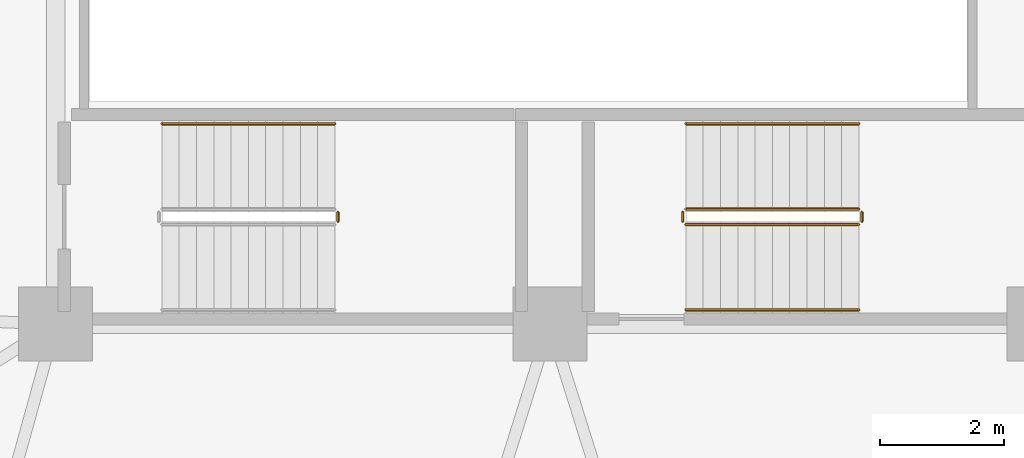
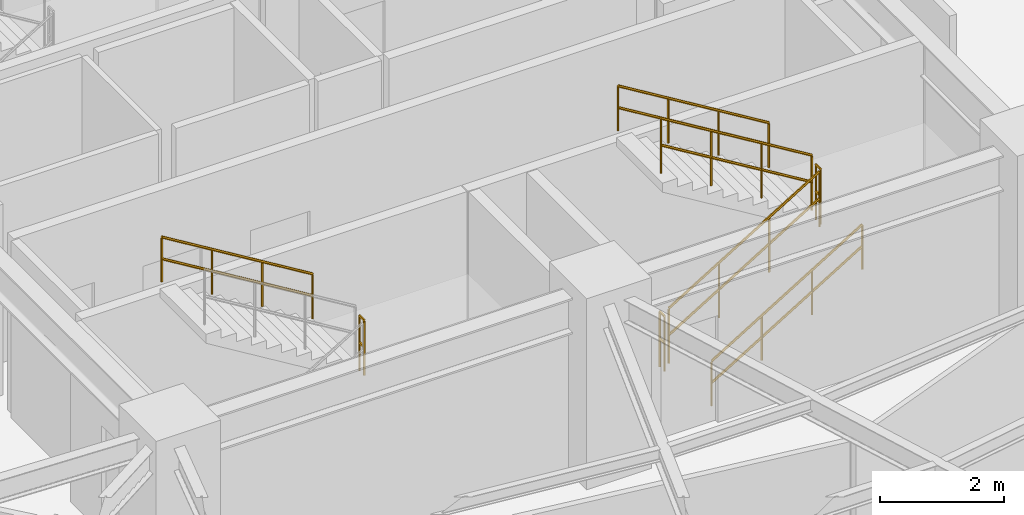
# One storey, part 29 of 31: 8 railings.
"""IFC4 building model written with IfcOpenShell, lengths in metres."""

from ifc_helpers import new_model, si_unit, direction, frame, origin, place, context, subcontext, project, spatial, polyline, outline, extrude, material, type_object, element, save


model = new_model("IFC4")

# Units and contexts
model_context = context("Model", 3, precision=1e-05, world=origin(), true_north=direction((0.0, 1.0)))
body_context = subcontext(model_context, "Body", "Model", "MODEL_VIEW")
ifc_project = project(units=[si_unit("LENGTHUNIT", "METRE"), si_unit("AREAUNIT", "SQUARE_METRE"), si_unit("VOLUMEUNIT", "CUBIC_METRE"), si_unit("PLANEANGLEUNIT", "RADIAN"), si_unit("MASSUNIT", "GRAM", prefix="KILO")], contexts=[model_context])

# Site, building, storey
site_placement = place(None, origin())
site = spatial("IfcSite", under=ifc_project, at=site_placement, CompositionType="ELEMENT")
building_placement = place(site_placement, origin())
building = spatial("IfcBuilding", under=site, at=building_placement, Name="Kelanora Arch Commons", CompositionType="ELEMENT")
storey_placement = place(building_placement, frame((0.0, 0.0, 200.699951171875)))
storey = spatial("IfcBuildingStorey", under=building, at=storey_placement, Name="L51", CompositionType="ELEMENT", Elevation=200.699951171875)

# Railings
ifc_material_1 = material(Name="Painted steel stair well guard", Category="steel")
railing_type_1 = type_object("IfcRailingType", Name="RAIL-STAIR-GRD", PredefinedType="GUARDRAIL", material=ifc_material_1)
railing_1_placement = place(storey_placement, frame((76.199951171875, 52.610107421875, 0.17041015625)))
element("IfcRailing", 1, at=railing_1_placement, inside=storey, type_object=railing_type_1, Name="L51 ST-T2 stair guard 1", PredefinedType="GUARDRAIL", context=body_context, shape_type="SweptSolid", body=[
    extrude(outline(polyline([(0.02392578125, 0.0), (0.011962890625, 0.020751953125), (-0.011962890625, 0.020751953125), (-0.02392578125, 0.0), (-0.011962890625, -0.020751953125), (0.011962890625, -0.020751953125), (0.02392578125, 0.0)])), frame((0.0, 0.0, 1.076171875), z_axis=(0.854169791009, 0.0, 0.51999420009), x_axis=(0.0, 1.0, 0.0)), (0.0, 0.0, 1.0), 3.278076171875),
    extrude(outline(polyline([(0.02392578125, 0.0), (0.011962890625, 0.020751953125), (-0.011962890625, 0.020751953125), (-0.02392578125, 0.0), (-0.011962890625, -0.020751953125), (0.011962890625, -0.020751953125), (0.02392578125, 0.0)])), frame((0.0, 0.0, 0.550048828125), z_axis=(0.854169791009, 0.0, 0.51999420009), x_axis=(0.0, 1.0, 0.0)), (0.0, 0.0, 1.0), 3.278076171875),
    extrude(outline(polyline([(0.02099609375, 0.0), (0.010498046875, 0.01806640625), (-0.010498046875, 0.01806640625), (-0.02099609375, 0.0), (-0.010498046875, -0.01806640625), (0.010498046875, -0.01806640625), (0.02099609375, 0.0)])), origin(), (0.0, 0.0, 1.0), 1.052001953125),
    extrude(outline(polyline([(0.02099609375, 0.0), (0.010498046875, 0.01806640625), (-0.010498046875, 0.01806640625), (-0.02099609375, 0.0), (-0.010498046875, -0.01806640625), (0.010498046875, -0.01806640625), (0.02099609375, 0.0)])), frame((0.933349609375, 0.0, 0.568115234375)), (0.0, 0.0, 1.0), 1.052001953125),
    extrude(outline(polyline([(0.02099609375, 0.0), (0.010498046875, 0.01806640625), (-0.010498046875, 0.01806640625), (-0.02099609375, 0.0), (-0.010498046875, -0.01806640625), (0.010498046875, -0.01806640625), (0.02099609375, 0.0)])), frame((1.86669921875, 0.0, 1.136474609375)), (0.0, 0.0, 1.0), 1.052001953125),
    extrude(outline(polyline([(0.02099609375, 0.0), (0.010498046875, 0.01806640625), (-0.010498046875, 0.01806640625), (-0.02099609375, 0.0), (-0.010498046875, -0.01806640625), (0.010498046875, -0.01806640625), (0.02099609375, 0.0)])), frame((2.800048828125, 0.0, 1.70458984375)), (0.0, 0.0, 1.0), 1.052001953125),
])
railing_2_placement = place(storey_placement, frame((79.050048828125, 52.659912109375, 1.875)))
element("IfcRailing", 2, at=railing_2_placement, inside=storey, type_object=railing_type_1, Name="L51 ST-T2 stair guard 2", PredefinedType="GUARDRAIL", context=body_context, shape_type="SweptSolid", body=[
    extrude(outline(polyline([(0.02392578125, 0.0), (0.011962890625, 0.020751953125), (-0.011962890625, 0.020751953125), (-0.02392578125, 0.0), (-0.011962890625, -0.020751953125), (0.011962890625, -0.020751953125), (0.02392578125, 0.0)])), frame((0.0, 0.0, 1.076171875), z_axis=(0.0, 1.0, 0.0), x_axis=(-1.0, 0.0, 0.0)), (0.0, 0.0, 1.0), 0.150146484375),
    extrude(outline(polyline([(0.02392578125, 0.0), (0.011962890625, 0.020751953125), (-0.011962890625, 0.020751953125), (-0.02392578125, 0.0), (-0.011962890625, -0.020751953125), (0.011962890625, -0.020751953125), (0.02392578125, 0.0)])), frame((0.0, 0.0, 0.550048828125), z_axis=(0.0, 1.0, 0.0), x_axis=(-1.0, 0.0, 0.0)), (0.0, 0.0, 1.0), 0.150146484375),
    extrude(outline(polyline([(0.02099609375, 0.0), (0.010498046875, 0.01806640625), (-0.010498046875, 0.01806640625), (-0.02099609375, 0.0), (-0.010498046875, -0.01806640625), (0.010498046875, -0.01806640625), (0.02099609375, 0.0)])), origin(), (0.0, 0.0, 1.0), 1.052001953125),
    extrude(outline(polyline([(0.02099609375, 0.0), (0.010498046875, 0.01806640625), (-0.010498046875, 0.01806640625), (-0.02099609375, 0.0), (-0.010498046875, -0.01806640625), (0.010498046875, -0.01806640625), (0.02099609375, 0.0)])), frame((0.0, 0.150146484375, 0.0)), (0.0, 0.0, 1.0), 1.052001953125),
])
railing_3_placement = place(storey_placement, frame((79.0, 52.860107421875, 2.04541015625)))
element("IfcRailing", 3, at=railing_3_placement, inside=storey, type_object=railing_type_1, Name="L51 ST-T2 stair guard 3", PredefinedType="GUARDRAIL", context=body_context, shape_type="SweptSolid", body=[
    extrude(outline(polyline([(0.02392578125, 0.0), (0.011962890625, 0.020751953125), (-0.011962890625, 0.020751953125), (-0.02392578125, 0.0), (-0.011962890625, -0.020751953125), (0.011962890625, -0.020751953125), (0.02392578125, 0.0)])), frame((0.0, 0.0, 1.076171875), z_axis=(-0.854169791009, 0.0, 0.51999420009), x_axis=(0.0, -1.0, 0.0)), (0.0, 0.0, 1.0), 3.278076171875),
    extrude(outline(polyline([(0.02392578125, 0.0), (0.011962890625, 0.020751953125), (-0.011962890625, 0.020751953125), (-0.02392578125, 0.0), (-0.011962890625, -0.020751953125), (0.011962890625, -0.020751953125), (0.02392578125, 0.0)])), frame((0.0, 0.0, 0.550048828125), z_axis=(-0.854169791009, 0.0, 0.51999420009), x_axis=(0.0, -1.0, 0.0)), (0.0, 0.0, 1.0), 3.278076171875),
    extrude(outline(polyline([(0.02099609375, 0.0), (0.010498046875, 0.01806640625), (-0.010498046875, 0.01806640625), (-0.02099609375, 0.0), (-0.010498046875, -0.01806640625), (0.010498046875, -0.01806640625), (0.02099609375, 0.0)])), origin(), (0.0, 0.0, 1.0), 1.052001953125),
    extrude(outline(polyline([(0.02099609375, 0.0), (0.010498046875, 0.01806640625), (-0.010498046875, 0.01806640625), (-0.02099609375, 0.0), (-0.010498046875, -0.01806640625), (0.010498046875, -0.01806640625), (0.02099609375, 0.0)])), frame((-0.933349609375, 0.0, 0.568115234375)), (0.0, 0.0, 1.0), 1.052001953125),
    extrude(outline(polyline([(0.02099609375, 0.0), (0.010498046875, 0.01806640625), (-0.010498046875, 0.01806640625), (-0.02099609375, 0.0), (-0.010498046875, -0.01806640625), (0.010498046875, -0.01806640625), (0.02099609375, 0.0)])), frame((-1.86669921875, 0.0, 1.136474609375)), (0.0, 0.0, 1.0), 1.052001953125),
    extrude(outline(polyline([(0.02099609375, 0.0), (0.010498046875, 0.01806640625), (-0.010498046875, 0.01806640625), (-0.02099609375, 0.0), (-0.010498046875, -0.01806640625), (0.010498046875, -0.01806640625), (0.02099609375, 0.0)])), frame((-2.800048828125, 0.0, 1.70458984375)), (0.0, 0.0, 1.0), 1.052001953125),
])
for number, where, name in (
    (4, (76.14990234375, 52.659912109375, 0.0), "L51 ST-T2 stair guard 4"),
    (5, (70.570068359375, 52.659912109375, 1.875), "L51 ST-T3 stair guard 2"),
):
    element("IfcRailing", number, at=place(storey_placement, frame(where)), inside=storey, type_object=railing_type_1, Name=name, PredefinedType="GUARDRAIL", context=body_context, shape_type="SweptSolid", body=[
        extrude(outline(polyline([(0.02392578125, 0.0), (0.011962890625, 0.020751953125), (-0.011962890625, 0.020751953125), (-0.02392578125, 0.0), (-0.011962890625, -0.020751953125), (0.011962890625, -0.020751953125), (0.02392578125, 0.0)])), frame((0.0, 0.0, 1.076171875), z_axis=(0.0, 1.0, 0.0), x_axis=(-1.0, 0.0, 0.0)), (0.0, 0.0, 1.0), 0.150146484375),
        extrude(outline(polyline([(0.02392578125, 0.0), (0.011962890625, 0.020751953125), (-0.011962890625, 0.020751953125), (-0.02392578125, 0.0), (-0.011962890625, -0.020751953125), (0.011962890625, -0.020751953125), (0.02392578125, 0.0)])), frame((0.0, 0.0, 0.550048828125), z_axis=(0.0, 1.0, 0.0), x_axis=(-1.0, 0.0, 0.0)), (0.0, 0.0, 1.0), 0.150146484375),
        extrude(outline(polyline([(0.02099609375, 0.0), (0.010498046875, 0.01806640625), (-0.010498046875, 0.01806640625), (-0.02099609375, 0.0), (-0.010498046875, -0.01806640625), (0.010498046875, -0.01806640625), (0.02099609375, 0.0)])), origin(), (0.0, 0.0, 1.0), 1.052001953125),
        extrude(outline(polyline([(0.02099609375, 0.0), (0.010498046875, 0.01806640625), (-0.010498046875, 0.01806640625), (-0.02099609375, 0.0), (-0.010498046875, -0.01806640625), (0.010498046875, -0.01806640625), (0.02099609375, 0.0)])), frame((0.0, 0.150146484375, 0.0)), (0.0, 0.0, 1.0), 1.052001953125),
    ])
ifc_material_2 = material(Name="Brushed stainless steel stair handrail", Category="steel")
railing_type_2 = type_object("IfcRailingType", Name="RAIL-STAIR-HND", PredefinedType="HANDRAIL", material=ifc_material_2)
railing_4_placement = place(storey_placement, frame((76.199951171875, 51.22998046875, 0.17041015625)))
element("IfcRailing", 6, at=railing_4_placement, inside=storey, type_object=railing_type_2, Name="L51 ST-T2 stair handrail 1", PredefinedType="HANDRAIL", context=body_context, shape_type="SweptSolid", body=[
    extrude(outline(polyline([(0.02392578125, 0.0), (0.011962890625, 0.020751953125), (-0.011962890625, 0.020751953125), (-0.02392578125, 0.0), (-0.011962890625, -0.020751953125), (0.011962890625, -0.020751953125), (0.02392578125, 0.0)])), frame((0.0, 0.0, 0.8759765625), z_axis=(0.854169791009, 0.0, 0.51999420009), x_axis=(0.0, 1.0, 0.0)), (0.0, 0.0, 1.0), 3.278076171875),
    extrude(outline(polyline([(0.02392578125, 0.0), (0.011962890625, 0.020751953125), (-0.011962890625, 0.020751953125), (-0.02392578125, 0.0), (-0.011962890625, -0.020751953125), (0.011962890625, -0.020751953125), (0.02392578125, 0.0)])), frame((0.0, 0.0, 0.449951171875), z_axis=(0.854169791009, 0.0, 0.51999420009), x_axis=(0.0, 1.0, 0.0)), (0.0, 0.0, 1.0), 3.278076171875),
    extrude(outline(polyline([(0.02099609375, 0.0), (0.010498046875, 0.01806640625), (-0.010498046875, 0.01806640625), (-0.02099609375, 0.0), (-0.010498046875, -0.01806640625), (0.010498046875, -0.01806640625), (0.02099609375, 0.0)])), origin(), (0.0, 0.0, 1.0), 0.851806640625),
    extrude(outline(polyline([(0.02099609375, 0.0), (0.010498046875, 0.01806640625), (-0.010498046875, 0.01806640625), (-0.02099609375, 0.0), (-0.010498046875, -0.01806640625), (0.010498046875, -0.01806640625), (0.02099609375, 0.0)])), frame((0.933349609375, 0.0, 0.568115234375)), (0.0, 0.0, 1.0), 0.851806640625),
    extrude(outline(polyline([(0.02099609375, 0.0), (0.010498046875, 0.01806640625), (-0.010498046875, 0.01806640625), (-0.02099609375, 0.0), (-0.010498046875, -0.01806640625), (0.010498046875, -0.01806640625), (0.02099609375, 0.0)])), frame((1.86669921875, 0.0, 1.136474609375)), (0.0, 0.0, 1.0), 0.851806640625),
    extrude(outline(polyline([(0.02099609375, 0.0), (0.010498046875, 0.01806640625), (-0.010498046875, 0.01806640625), (-0.02099609375, 0.0), (-0.010498046875, -0.01806640625), (0.010498046875, -0.01806640625), (0.02099609375, 0.0)])), frame((2.800048828125, 0.0, 1.70458984375)), (0.0, 0.0, 1.0), 0.851806640625),
])
railing_5_placement = place(storey_placement, frame((79.0, 54.239990234375, 2.04541015625)))
element("IfcRailing", 7, at=railing_5_placement, inside=storey, type_object=railing_type_2, Name="L51 ST-T2 stair handrail 2", PredefinedType="HANDRAIL", context=body_context, shape_type="SweptSolid", body=[
    extrude(outline(polyline([(0.02392578125, 0.0), (0.011962890625, 0.020751953125), (-0.011962890625, 0.020751953125), (-0.02392578125, 0.0), (-0.011962890625, -0.020751953125), (0.011962890625, -0.020751953125), (0.02392578125, 0.0)])), frame((0.0, 0.0, 0.8759765625), z_axis=(-0.854169791009, 0.0, 0.51999420009), x_axis=(0.0, -1.0, 0.0)), (0.0, 0.0, 1.0), 3.278076171875),
    extrude(outline(polyline([(0.02392578125, 0.0), (0.011962890625, 0.020751953125), (-0.011962890625, 0.020751953125), (-0.02392578125, 0.0), (-0.011962890625, -0.020751953125), (0.011962890625, -0.020751953125), (0.02392578125, 0.0)])), frame((0.0, 0.0, 0.449951171875), z_axis=(-0.854169791009, 0.0, 0.51999420009), x_axis=(0.0, -1.0, 0.0)), (0.0, 0.0, 1.0), 3.278076171875),
    extrude(outline(polyline([(0.02099609375, 0.0), (0.010498046875, 0.01806640625), (-0.010498046875, 0.01806640625), (-0.02099609375, 0.0), (-0.010498046875, -0.01806640625), (0.010498046875, -0.01806640625), (0.02099609375, 0.0)])), origin(), (0.0, 0.0, 1.0), 0.851806640625),
    extrude(outline(polyline([(0.02099609375, 0.0), (0.010498046875, 0.01806640625), (-0.010498046875, 0.01806640625), (-0.02099609375, 0.0), (-0.010498046875, -0.01806640625), (0.010498046875, -0.01806640625), (0.02099609375, 0.0)])), frame((-0.933349609375, 0.0, 0.568115234375)), (0.0, 0.0, 1.0), 0.851806640625),
    extrude(outline(polyline([(0.02099609375, 0.0), (0.010498046875, 0.01806640625), (-0.010498046875, 0.01806640625), (-0.02099609375, 0.0), (-0.010498046875, -0.01806640625), (0.010498046875, -0.01806640625), (0.02099609375, 0.0)])), frame((-1.86669921875, 0.0, 1.136474609375)), (0.0, 0.0, 1.0), 0.851806640625),
    extrude(outline(polyline([(0.02099609375, 0.0), (0.010498046875, 0.01806640625), (-0.010498046875, 0.01806640625), (-0.02099609375, 0.0), (-0.010498046875, -0.01806640625), (0.010498046875, -0.01806640625), (0.02099609375, 0.0)])), frame((-2.800048828125, 0.0, 1.70458984375)), (0.0, 0.0, 1.0), 0.851806640625),
])
railing_6_placement = place(storey_placement, frame((70.52001953125, 54.239990234375, 2.04541015625)))
element("IfcRailing", 8, at=railing_6_placement, inside=storey, type_object=railing_type_2, Name="L51 ST-T3 stair handrail 2", PredefinedType="HANDRAIL", context=body_context, shape_type="SweptSolid", body=[
    extrude(outline(polyline([(0.02392578125, 0.0), (0.011962890625, 0.020751953125), (-0.011962890625, 0.020751953125), (-0.02392578125, 0.0), (-0.011962890625, -0.020751953125), (0.011962890625, -0.020751953125), (0.02392578125, 0.0)])), frame((0.0, 0.0, 0.8759765625), z_axis=(-0.854169791009, 0.0, 0.51999420009), x_axis=(0.0, -1.0, 0.0)), (0.0, 0.0, 1.0), 3.278076171875),
    extrude(outline(polyline([(0.02392578125, 0.0), (0.011962890625, 0.020751953125), (-0.011962890625, 0.020751953125), (-0.02392578125, 0.0), (-0.011962890625, -0.020751953125), (0.011962890625, -0.020751953125), (0.02392578125, 0.0)])), frame((0.0, 0.0, 0.449951171875), z_axis=(-0.854169791009, 0.0, 0.51999420009), x_axis=(0.0, -1.0, 0.0)), (0.0, 0.0, 1.0), 3.278076171875),
    extrude(outline(polyline([(0.02099609375, 0.0), (0.010498046875, 0.01806640625), (-0.010498046875, 0.01806640625), (-0.02099609375, 0.0), (-0.010498046875, -0.01806640625), (0.010498046875, -0.01806640625), (0.02099609375, 0.0)])), origin(), (0.0, 0.0, 1.0), 0.851806640625),
    extrude(outline(polyline([(0.02099609375, 0.0), (0.010498046875, 0.01806640625), (-0.010498046875, 0.01806640625), (-0.02099609375, 0.0), (-0.010498046875, -0.01806640625), (0.010498046875, -0.01806640625), (0.02099609375, 0.0)])), frame((-0.933349609375, 0.0, 0.568115234375)), (0.0, 0.0, 1.0), 0.851806640625),
    extrude(outline(polyline([(0.02099609375, 0.0), (0.010498046875, 0.01806640625), (-0.010498046875, 0.01806640625), (-0.02099609375, 0.0), (-0.010498046875, -0.01806640625), (0.010498046875, -0.01806640625), (0.02099609375, 0.0)])), frame((-1.86669921875, 0.0, 1.136474609375)), (0.0, 0.0, 1.0), 0.851806640625),
    extrude(outline(polyline([(0.02099609375, 0.0), (0.010498046875, 0.01806640625), (-0.010498046875, 0.01806640625), (-0.02099609375, 0.0), (-0.010498046875, -0.01806640625), (0.010498046875, -0.01806640625), (0.02099609375, 0.0)])), frame((-2.800048828125, 0.0, 1.70458984375)), (0.0, 0.0, 1.0), 0.851806640625),
])

save(model, "model.ifc")
